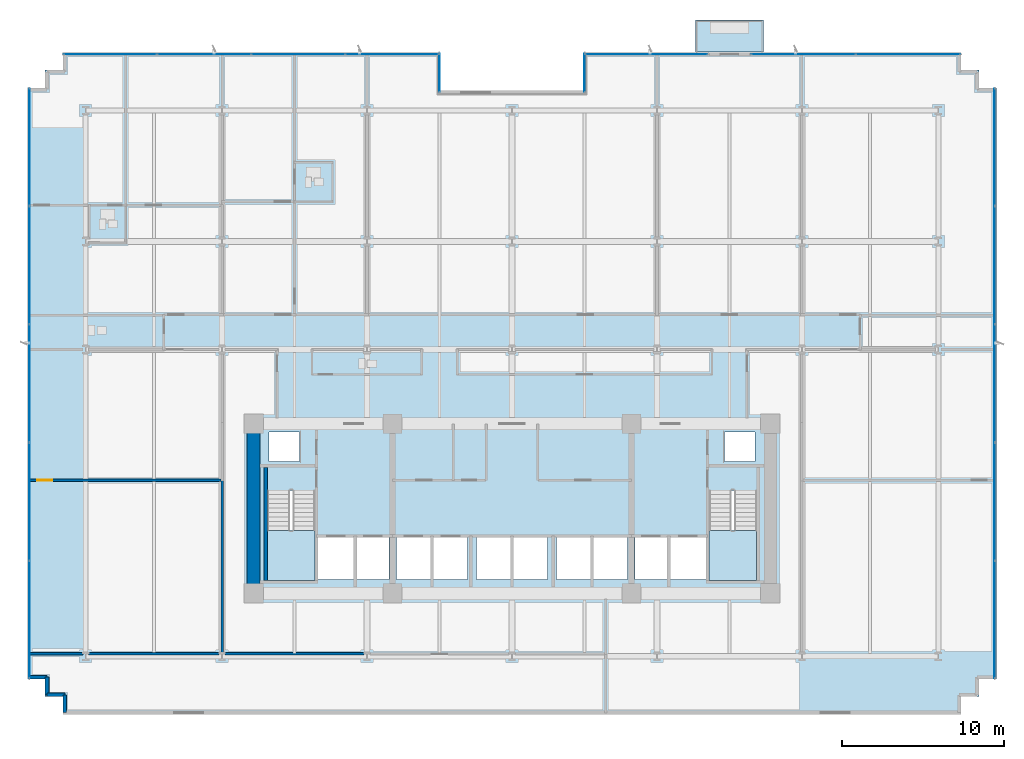
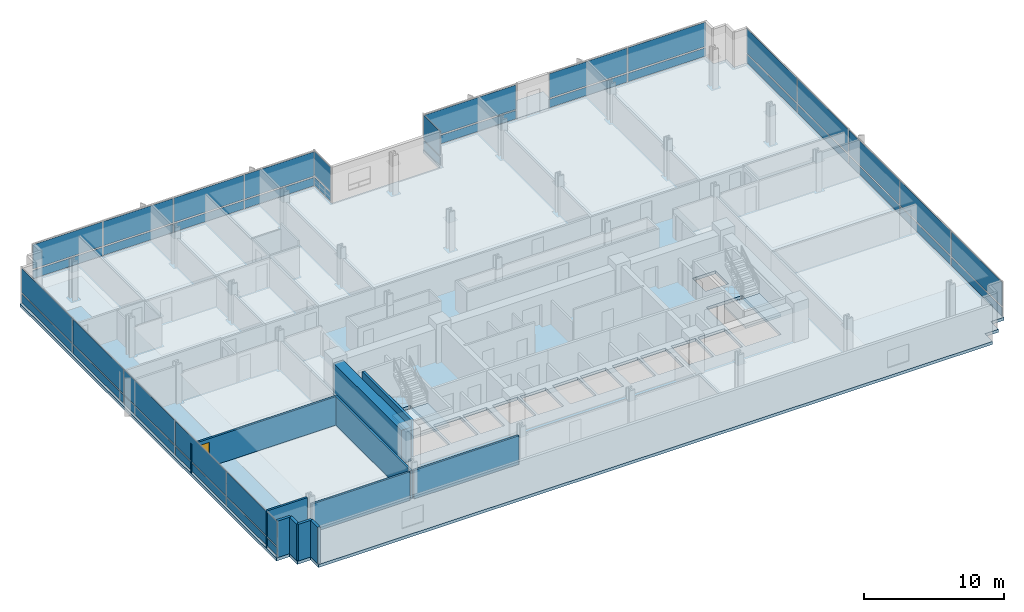
# One storey, part 11 of 20: 38 plates, 11 walls, 4 slabs, 1 door, 1 opening, 9 elements without a shape of their own.
"""IFC4 building model written with IfcOpenShell, lengths in metres."""

from ifc_helpers import new_model, si_unit, direction, frame, frame_2d, origin, origin_2d, place, context, subcontext, project, spatial, polyline, rectangle, outline, extrude, material, layer, layer_set, type_object, element, fill, aggregate, save


model = new_model("IFC4")

# Units and contexts
model_context = context("Model", 3, precision=1e-05, world=origin(), true_north=direction((0.0, 1.0)))
body_context = subcontext(model_context, "Body", "Model", "MODEL_VIEW")
ifc_project = project(units=[si_unit("LENGTHUNIT", "METRE"), si_unit("AREAUNIT", "SQUARE_METRE"), si_unit("VOLUMEUNIT", "CUBIC_METRE"), si_unit("PLANEANGLEUNIT", "RADIAN"), si_unit("MASSUNIT", "GRAM", prefix="KILO")], contexts=[model_context])

# Site, building, storey
site_placement = place(None, origin())
site = spatial("IfcSite", under=ifc_project, at=site_placement, CompositionType="ELEMENT")
building_placement = place(site_placement, origin())
building = spatial("IfcBuilding", under=site, at=building_placement, Name="Solmavex Isthmus Hotel", CompositionType="ELEMENT")
storey_placement = place(building_placement, frame((0.0, 0.0, 57.449951171875)))
storey = spatial("IfcBuildingStorey", under=building, at=storey_placement, Name="L15", CompositionType="ELEMENT", Elevation=57.449951171875)

# Curtain wall, plates
ifc_material_1 = material(Name="Aluminium alloy 6063-T6", Category="aluminium")
curtain_wall_type = type_object("IfcCurtainWallType", Name="CW-SYS-06", PredefinedType="NOTDEFINED", material=ifc_material_1)
curtain_wall_1_placement = place(storey_placement, origin())
curtain_wall_1 = element("IfcCurtainWall", 1, at=curtain_wall_1_placement, inside=storey, type_object=curtain_wall_type, Name="Stick Curtain Wall CWL-L15-SGW", PredefinedType="NOTDEFINED")
ifc_material_2 = material(Name="Clear low-E laminated glass", Category="glass")
ifc_layer_1 = layer(ifc_material_2, 0.028076171875)
ifc_layer_set_1 = layer_set([ifc_layer_1], Name="Clear low-E laminated glass")
plate_type = type_object("IfcPlateType", Name="CW-SYS-06-PNL", PredefinedType="CURTAIN_PANEL", material=ifc_layer_set_1)
plate_1_placement = place(storey_placement, frame((-4.5, 19.239990234375, 0.114990234375), z_axis=(0.0, 0.0, 1.0), x_axis=(0.0, 1.0, 0.0)))
plate_1 = element("IfcPlate", 2, at=plate_1_placement, type_object=plate_type, Name="CW-06 panel 1.1", PredefinedType="CURTAIN_PANEL", context=body_context, shape_type="SweptSolid", body=[
    extrude(rectangle(XDim=2.360107421875, YDim=0.028076171875, at=origin_2d()), origin(), (0.0, 0.0, 1.0), 0.7275390625),
])
plate_2_placement = place(storey_placement, frame((-4.5, 19.239990234375, 0.95751953125), z_axis=(0.0, 0.0, 1.0), x_axis=(0.0, 1.0, 0.0)))
plate_2 = element("IfcPlate", 3, at=plate_2_placement, type_object=plate_type, Name="CW-06 panel 1.2", PredefinedType="CURTAIN_PANEL", context=body_context, shape_type="SweptSolid", body=[
    extrude(rectangle(XDim=2.360107421875, YDim=0.028076171875, at=origin_2d()), origin(), (0.0, 0.0, 1.0), 2.117431640625),
])
aggregate(curtain_wall_1, [plate_1, plate_2])

curtain_wall_2_placement = place(storey_placement, origin())
curtain_wall_2 = element("IfcCurtainWall", 4, at=curtain_wall_2_placement, inside=storey, type_object=curtain_wall_type, Name="Stick Curtain Wall CWL-L15-SGE", PredefinedType="NOTDEFINED")
plate_3_placement = place(storey_placement, frame((4.5, 19.239990234375, 0.114990234375), z_axis=(0.0, 0.0, 1.0), x_axis=(0.0, 1.0, 0.0)))
plate_3 = element("IfcPlate", 5, at=plate_3_placement, type_object=plate_type, Name="CW-06 panel 1.1", PredefinedType="CURTAIN_PANEL", context=body_context, shape_type="SweptSolid", body=[
    extrude(rectangle(XDim=2.360107421875, YDim=0.028076171875, at=origin_2d()), origin(), (0.0, 0.0, 1.0), 0.7275390625),
])
plate_4_placement = place(storey_placement, frame((4.5, 19.239990234375, 0.95751953125), z_axis=(0.0, 0.0, 1.0), x_axis=(0.0, 1.0, 0.0)))
plate_4 = element("IfcPlate", 6, at=plate_4_placement, type_object=plate_type, Name="CW-06 panel 1.2", PredefinedType="CURTAIN_PANEL", context=body_context, shape_type="SweptSolid", body=[
    extrude(rectangle(XDim=2.360107421875, YDim=0.028076171875, at=origin_2d()), origin(), (0.0, 0.0, 1.0), 2.117431640625),
])
aggregate(curtain_wall_2, [plate_3, plate_4])

curtain_wall_3_placement = place(storey_placement, origin())
curtain_wall_3 = element("IfcCurtainWall", 7, at=curtain_wall_3_placement, inside=storey, type_object=curtain_wall_type, Name="Stick Curtain Wall CWL-L15-N1", PredefinedType="NOTDEFINED")
plate_5_placement = place(storey_placement, frame((-24.87255859375, 20.3798828125, 0.114990234375), z_axis=(0.0, 0.0, 1.0), x_axis=(1.0, 0.0, 0.0)))
plate_5 = element("IfcPlate", 8, at=plate_5_placement, type_object=plate_type, Name="CW-06 panel 1.1", PredefinedType="CURTAIN_PANEL", context=body_context, shape_type="SweptSolid", body=[
    extrude(rectangle(XDim=5.735107421875, YDim=0.028076171875, at=origin_2d()), origin(), (0.0, 0.0, 1.0), 0.7275390625),
])
plate_6_placement = place(storey_placement, frame((-24.87255859375, 20.3798828125, 0.95751953125), z_axis=(0.0, 0.0, 1.0), x_axis=(1.0, 0.0, 0.0)))
plate_6 = element("IfcPlate", 9, at=plate_6_placement, type_object=plate_type, Name="CW-06 panel 1.2", PredefinedType="CURTAIN_PANEL", context=body_context, shape_type="SweptSolid", body=[
    extrude(rectangle(XDim=5.735107421875, YDim=0.028076171875, at=origin_2d()), origin(), (0.0, 0.0, 1.0), 2.117431640625),
])
plate_7_placement = place(storey_placement, frame((-19.0625, 20.3798828125, 0.114990234375), z_axis=(0.0, 0.0, 1.0), x_axis=(1.0, 0.0, 0.0)))
plate_7 = element("IfcPlate", 10, at=plate_7_placement, type_object=plate_type, Name="CW-06 panel 2.1", PredefinedType="CURTAIN_PANEL", context=body_context, shape_type="SweptSolid", body=[
    extrude(rectangle(XDim=5.764892578125, YDim=0.028076171875, at=origin_2d()), origin(), (0.0, 0.0, 1.0), 0.7275390625),
])
plate_8_placement = place(storey_placement, frame((-19.0625, 20.3798828125, 0.95751953125), z_axis=(0.0, 0.0, 1.0), x_axis=(1.0, 0.0, 0.0)))
plate_8 = element("IfcPlate", 11, at=plate_8_placement, type_object=plate_type, Name="CW-06 panel 2.2", PredefinedType="CURTAIN_PANEL", context=body_context, shape_type="SweptSolid", body=[
    extrude(rectangle(XDim=5.764892578125, YDim=0.028076171875, at=origin_2d()), origin(), (0.0, 0.0, 1.0), 2.117431640625),
])
plate_9_placement = place(storey_placement, frame((-13.237548828125, 20.3798828125, 0.114990234375), z_axis=(0.0, 0.0, 1.0), x_axis=(1.0, 0.0, 0.0)))
plate_9 = element("IfcPlate", 12, at=plate_9_placement, type_object=plate_type, Name="CW-06 panel 3.1", PredefinedType="CURTAIN_PANEL", context=body_context, shape_type="SweptSolid", body=[
    extrude(rectangle(XDim=5.764892578125, YDim=0.028076171875, at=origin_2d()), origin(), (0.0, 0.0, 1.0), 0.7275390625),
])
plate_10_placement = place(storey_placement, frame((-13.237548828125, 20.3798828125, 0.95751953125), z_axis=(0.0, 0.0, 1.0), x_axis=(1.0, 0.0, 0.0)))
plate_10 = element("IfcPlate", 13, at=plate_10_placement, type_object=plate_type, Name="CW-06 panel 3.2", PredefinedType="CURTAIN_PANEL", context=body_context, shape_type="SweptSolid", body=[
    extrude(rectangle(XDim=5.764892578125, YDim=0.028076171875, at=origin_2d()), origin(), (0.0, 0.0, 1.0), 2.117431640625),
])
plate_11_placement = place(storey_placement, frame((-7.427490234375, 20.3798828125, 0.114990234375), z_axis=(0.0, 0.0, 1.0), x_axis=(1.0, 0.0, 0.0)))
plate_11 = element("IfcPlate", 14, at=plate_11_placement, type_object=plate_type, Name="CW-06 panel 4.1", PredefinedType="CURTAIN_PANEL", context=body_context, shape_type="SweptSolid", body=[
    extrude(rectangle(XDim=5.735107421875, YDim=0.028076171875, at=origin_2d()), origin(), (0.0, 0.0, 1.0), 0.7275390625),
])
plate_12_placement = place(storey_placement, frame((-7.427490234375, 20.3798828125, 0.95751953125), z_axis=(0.0, 0.0, 1.0), x_axis=(1.0, 0.0, 0.0)))
plate_12 = element("IfcPlate", 15, at=plate_12_placement, type_object=plate_type, Name="CW-06 panel 4.2", PredefinedType="CURTAIN_PANEL", context=body_context, shape_type="SweptSolid", body=[
    extrude(rectangle(XDim=5.735107421875, YDim=0.028076171875, at=origin_2d()), origin(), (0.0, 0.0, 1.0), 2.117431640625),
])
aggregate(curtain_wall_3, [plate_5, plate_6, plate_7, plate_8, plate_9, plate_10, plate_11, plate_12])

curtain_wall_4_placement = place(storey_placement, origin())
curtain_wall_4 = element("IfcCurtainWall", 16, at=curtain_wall_4_placement, inside=storey, type_object=curtain_wall_type, Name="Stick Curtain Wall CWL-L15-N2", PredefinedType="NOTDEFINED")
plate_13_placement = place(storey_placement, frame((8.33203125, 20.3798828125, 0.114990234375), z_axis=(0.0, 0.0, 1.0), x_axis=(1.0, 0.0, 0.0)))
plate_13 = element("IfcPlate", 17, at=plate_13_placement, type_object=plate_type, Name="CW-06 panel 1.1", PredefinedType="CURTAIN_PANEL", context=body_context, shape_type="SweptSolid", body=[
    extrude(rectangle(XDim=7.5439453125, YDim=0.028076171875, at=origin_2d()), origin(), (0.0, 0.0, 1.0), 0.7275390625),
])
plate_14_placement = place(storey_placement, frame((8.33203125, 20.3798828125, 0.95751953125), z_axis=(0.0, 0.0, 1.0), x_axis=(1.0, 0.0, 0.0)))
plate_14 = element("IfcPlate", 18, at=plate_14_placement, type_object=plate_type, Name="CW-06 panel 1.2", PredefinedType="CURTAIN_PANEL", context=body_context, shape_type="SweptSolid", body=[
    extrude(rectangle(XDim=7.5439453125, YDim=0.028076171875, at=origin_2d()), origin(), (0.0, 0.0, 1.0), 2.117431640625),
])
aggregate(curtain_wall_4, [plate_13, plate_14])

curtain_wall_5_placement = place(storey_placement, origin())
curtain_wall_5 = element("IfcCurtainWall", 19, at=curtain_wall_5_placement, inside=storey, type_object=curtain_wall_type, Name="Stick Curtain Wall CWL-L15-N3", PredefinedType="NOTDEFINED")
plate_15_placement = place(storey_placement, frame((18.0380859375, 20.3798828125, 0.114990234375), z_axis=(0.0, 0.0, 1.0), x_axis=(1.0, 0.0, 0.0)))
plate_15 = element("IfcPlate", 20, at=plate_15_placement, type_object=plate_type, Name="CW-06 panel 1.1", PredefinedType="CURTAIN_PANEL", context=body_context, shape_type="SweptSolid", body=[
    extrude(rectangle(XDim=6.427978515625, YDim=0.028076171875, at=origin_2d()), origin(), (0.0, 0.0, 1.0), 0.7275390625),
])
plate_16_placement = place(storey_placement, frame((18.0380859375, 20.3798828125, 0.95751953125), z_axis=(0.0, 0.0, 1.0), x_axis=(1.0, 0.0, 0.0)))
plate_16 = element("IfcPlate", 21, at=plate_16_placement, type_object=plate_type, Name="CW-06 panel 1.2", PredefinedType="CURTAIN_PANEL", context=body_context, shape_type="SweptSolid", body=[
    extrude(rectangle(XDim=6.427978515625, YDim=0.028076171875, at=origin_2d()), origin(), (0.0, 0.0, 1.0), 2.117431640625),
])
plate_17_placement = place(storey_placement, frame((24.52587890625, 20.3798828125, 0.114990234375), z_axis=(0.0, 0.0, 1.0), x_axis=(1.0, 0.0, 0.0)))
plate_17 = element("IfcPlate", 22, at=plate_17_placement, type_object=plate_type, Name="CW-06 panel 2.1", PredefinedType="CURTAIN_PANEL", context=body_context, shape_type="SweptSolid", body=[
    extrude(rectangle(XDim=6.427978515625, YDim=0.028076171875, at=origin_2d()), origin(), (0.0, 0.0, 1.0), 0.7275390625),
])
plate_18_placement = place(storey_placement, frame((24.52587890625, 20.3798828125, 0.95751953125), z_axis=(0.0, 0.0, 1.0), x_axis=(1.0, 0.0, 0.0)))
plate_18 = element("IfcPlate", 23, at=plate_18_placement, type_object=plate_type, Name="CW-06 panel 2.2", PredefinedType="CURTAIN_PANEL", context=body_context, shape_type="SweptSolid", body=[
    extrude(rectangle(XDim=6.427978515625, YDim=0.028076171875, at=origin_2d()), origin(), (0.0, 0.0, 1.0), 2.117431640625),
])
aggregate(curtain_wall_5, [plate_15, plate_16, plate_17, plate_18])

curtain_wall_6_placement = place(storey_placement, origin())
curtain_wall_6 = element("IfcCurtainWall", 24, at=curtain_wall_6_placement, inside=storey, type_object=curtain_wall_type, Name="Stick Curtain Wall CWL-L15-W1", PredefinedType="NOTDEFINED")
plate_19_placement = place(storey_placement, frame((-29.8798828125, -14.625, 0.114990234375), z_axis=(0.0, 0.0, 1.0), x_axis=(0.0, 1.0, 0.0)))
plate_19 = element("IfcPlate", 25, at=plate_19_placement, type_object=plate_type, Name="CW-06 panel 1.1", PredefinedType="CURTAIN_PANEL", context=body_context, shape_type="SweptSolid", body=[
    extrude(rectangle(XDim=7.22998046875, YDim=0.028076171875, at=origin_2d()), origin(), (0.0, 0.0, 1.0), 0.7275390625),
])
plate_20_placement = place(storey_placement, frame((-29.8798828125, -14.625, 0.95751953125), z_axis=(0.0, 0.0, 1.0), x_axis=(0.0, 1.0, 0.0)))
plate_20 = element("IfcPlate", 26, at=plate_20_placement, type_object=plate_type, Name="CW-06 panel 1.2", PredefinedType="CURTAIN_PANEL", context=body_context, shape_type="SweptSolid", body=[
    extrude(rectangle(XDim=7.22998046875, YDim=0.028076171875, at=origin_2d()), origin(), (0.0, 0.0, 1.0), 2.117431640625),
])
plate_21_placement = place(storey_placement, frame((-29.8798828125, -7.320068359375, 0.114990234375), z_axis=(0.0, 0.0, 1.0), x_axis=(0.0, 1.0, 0.0)))
plate_21 = element("IfcPlate", 27, at=plate_21_placement, type_object=plate_type, Name="CW-06 panel 2.1", PredefinedType="CURTAIN_PANEL", context=body_context, shape_type="SweptSolid", body=[
    extrude(rectangle(XDim=7.260009765625, YDim=0.028076171875, at=origin_2d()), origin(), (0.0, 0.0, 1.0), 0.7275390625),
])
plate_22_placement = place(storey_placement, frame((-29.8798828125, -7.320068359375, 0.95751953125), z_axis=(0.0, 0.0, 1.0), x_axis=(0.0, 1.0, 0.0)))
plate_22 = element("IfcPlate", 28, at=plate_22_placement, type_object=plate_type, Name="CW-06 panel 2.2", PredefinedType="CURTAIN_PANEL", context=body_context, shape_type="SweptSolid", body=[
    extrude(rectangle(XDim=7.260009765625, YDim=0.028076171875, at=origin_2d()), origin(), (0.0, 0.0, 1.0), 2.117431640625),
])
plate_23_placement = place(storey_placement, frame((-29.8798828125, 0.0, 0.114990234375), z_axis=(0.0, 0.0, 1.0), x_axis=(0.0, 1.0, 0.0)))
plate_23 = element("IfcPlate", 29, at=plate_23_placement, type_object=plate_type, Name="CW-06 panel 3.1", PredefinedType="CURTAIN_PANEL", context=body_context, shape_type="SweptSolid", body=[
    extrude(rectangle(XDim=7.260009765625, YDim=0.028076171875, at=origin_2d()), origin(), (0.0, 0.0, 1.0), 0.7275390625),
])
plate_24_placement = place(storey_placement, frame((-29.8798828125, 0.0, 0.95751953125), z_axis=(0.0, 0.0, 1.0), x_axis=(0.0, 1.0, 0.0)))
plate_24 = element("IfcPlate", 30, at=plate_24_placement, type_object=plate_type, Name="CW-06 panel 3.2", PredefinedType="CURTAIN_PANEL", context=body_context, shape_type="SweptSolid", body=[
    extrude(rectangle(XDim=7.260009765625, YDim=0.028076171875, at=origin_2d()), origin(), (0.0, 0.0, 1.0), 2.117431640625),
])
plate_25_placement = place(storey_placement, frame((-29.8798828125, 7.320068359375, 0.114990234375), z_axis=(0.0, 0.0, 1.0), x_axis=(0.0, 1.0, 0.0)))
plate_25 = element("IfcPlate", 31, at=plate_25_placement, type_object=plate_type, Name="CW-06 panel 4.1", PredefinedType="CURTAIN_PANEL", context=body_context, shape_type="SweptSolid", body=[
    extrude(rectangle(XDim=7.260009765625, YDim=0.028076171875, at=origin_2d()), origin(), (0.0, 0.0, 1.0), 0.7275390625),
])
plate_26_placement = place(storey_placement, frame((-29.8798828125, 7.320068359375, 0.95751953125), z_axis=(0.0, 0.0, 1.0), x_axis=(0.0, 1.0, 0.0)))
plate_26 = element("IfcPlate", 32, at=plate_26_placement, type_object=plate_type, Name="CW-06 panel 4.2", PredefinedType="CURTAIN_PANEL", context=body_context, shape_type="SweptSolid", body=[
    extrude(rectangle(XDim=7.260009765625, YDim=0.028076171875, at=origin_2d()), origin(), (0.0, 0.0, 1.0), 2.117431640625),
])
plate_27_placement = place(storey_placement, frame((-29.8798828125, 14.625, 0.114990234375), z_axis=(0.0, 0.0, 1.0), x_axis=(0.0, 1.0, 0.0)))
plate_27 = element("IfcPlate", 33, at=plate_27_placement, type_object=plate_type, Name="CW-06 panel 5.1", PredefinedType="CURTAIN_PANEL", context=body_context, shape_type="SweptSolid", body=[
    extrude(rectangle(XDim=7.22998046875, YDim=0.028076171875, at=origin_2d()), origin(), (0.0, 0.0, 1.0), 0.7275390625),
])
plate_28_placement = place(storey_placement, frame((-29.8798828125, 14.625, 0.95751953125), z_axis=(0.0, 0.0, 1.0), x_axis=(0.0, 1.0, 0.0)))
plate_28 = element("IfcPlate", 34, at=plate_28_placement, type_object=plate_type, Name="CW-06 panel 5.2", PredefinedType="CURTAIN_PANEL", context=body_context, shape_type="SweptSolid", body=[
    extrude(rectangle(XDim=7.22998046875, YDim=0.028076171875, at=origin_2d()), origin(), (0.0, 0.0, 1.0), 2.117431640625),
])
aggregate(curtain_wall_6, [plate_19, plate_20, plate_21, plate_22, plate_23, plate_24, plate_25, plate_26, plate_27, plate_28])

curtain_wall_7_placement = place(storey_placement, origin())
curtain_wall_7 = element("IfcCurtainWall", 35, at=curtain_wall_7_placement, inside=storey, type_object=curtain_wall_type, Name="Stick Curtain Wall CWL-L15-E1", PredefinedType="NOTDEFINED")
plate_29_placement = place(storey_placement, frame((29.8798828125, -14.625, 0.114990234375), z_axis=(0.0, 0.0, 1.0), x_axis=(0.0, 1.0, 0.0)))
plate_29 = element("IfcPlate", 36, at=plate_29_placement, type_object=plate_type, Name="CW-06 panel 1.1", PredefinedType="CURTAIN_PANEL", context=body_context, shape_type="SweptSolid", body=[
    extrude(rectangle(XDim=7.22998046875, YDim=0.028076171875, at=origin_2d()), origin(), (0.0, 0.0, 1.0), 0.7275390625),
])
plate_30_placement = place(storey_placement, frame((29.8798828125, -14.625, 0.95751953125), z_axis=(0.0, 0.0, 1.0), x_axis=(0.0, 1.0, 0.0)))
plate_30 = element("IfcPlate", 37, at=plate_30_placement, type_object=plate_type, Name="CW-06 panel 1.2", PredefinedType="CURTAIN_PANEL", context=body_context, shape_type="SweptSolid", body=[
    extrude(rectangle(XDim=7.22998046875, YDim=0.028076171875, at=origin_2d()), origin(), (0.0, 0.0, 1.0), 2.117431640625),
])
plate_31_placement = place(storey_placement, frame((29.8798828125, -7.320068359375, 0.114990234375), z_axis=(0.0, 0.0, 1.0), x_axis=(0.0, 1.0, 0.0)))
plate_31 = element("IfcPlate", 38, at=plate_31_placement, type_object=plate_type, Name="CW-06 panel 2.1", PredefinedType="CURTAIN_PANEL", context=body_context, shape_type="SweptSolid", body=[
    extrude(rectangle(XDim=7.260009765625, YDim=0.028076171875, at=origin_2d()), origin(), (0.0, 0.0, 1.0), 0.7275390625),
])
plate_32_placement = place(storey_placement, frame((29.8798828125, -7.320068359375, 0.95751953125), z_axis=(0.0, 0.0, 1.0), x_axis=(0.0, 1.0, 0.0)))
plate_32 = element("IfcPlate", 39, at=plate_32_placement, type_object=plate_type, Name="CW-06 panel 2.2", PredefinedType="CURTAIN_PANEL", context=body_context, shape_type="SweptSolid", body=[
    extrude(rectangle(XDim=7.260009765625, YDim=0.028076171875, at=origin_2d()), origin(), (0.0, 0.0, 1.0), 2.117431640625),
])
plate_33_placement = place(storey_placement, frame((29.8798828125, 0.0, 0.114990234375), z_axis=(0.0, 0.0, 1.0), x_axis=(0.0, 1.0, 0.0)))
plate_33 = element("IfcPlate", 40, at=plate_33_placement, type_object=plate_type, Name="CW-06 panel 3.1", PredefinedType="CURTAIN_PANEL", context=body_context, shape_type="SweptSolid", body=[
    extrude(rectangle(XDim=7.260009765625, YDim=0.028076171875, at=origin_2d()), origin(), (0.0, 0.0, 1.0), 0.7275390625),
])
plate_34_placement = place(storey_placement, frame((29.8798828125, 0.0, 0.95751953125), z_axis=(0.0, 0.0, 1.0), x_axis=(0.0, 1.0, 0.0)))
plate_34 = element("IfcPlate", 41, at=plate_34_placement, type_object=plate_type, Name="CW-06 panel 3.2", PredefinedType="CURTAIN_PANEL", context=body_context, shape_type="SweptSolid", body=[
    extrude(rectangle(XDim=7.260009765625, YDim=0.028076171875, at=origin_2d()), origin(), (0.0, 0.0, 1.0), 2.117431640625),
])
plate_35_placement = place(storey_placement, frame((29.8798828125, 7.320068359375, 0.114990234375), z_axis=(0.0, 0.0, 1.0), x_axis=(0.0, 1.0, 0.0)))
plate_35 = element("IfcPlate", 42, at=plate_35_placement, type_object=plate_type, Name="CW-06 panel 4.1", PredefinedType="CURTAIN_PANEL", context=body_context, shape_type="SweptSolid", body=[
    extrude(rectangle(XDim=7.260009765625, YDim=0.028076171875, at=origin_2d()), origin(), (0.0, 0.0, 1.0), 0.7275390625),
])
plate_36_placement = place(storey_placement, frame((29.8798828125, 7.320068359375, 0.95751953125), z_axis=(0.0, 0.0, 1.0), x_axis=(0.0, 1.0, 0.0)))
plate_36 = element("IfcPlate", 43, at=plate_36_placement, type_object=plate_type, Name="CW-06 panel 4.2", PredefinedType="CURTAIN_PANEL", context=body_context, shape_type="SweptSolid", body=[
    extrude(rectangle(XDim=7.260009765625, YDim=0.028076171875, at=origin_2d()), origin(), (0.0, 0.0, 1.0), 2.117431640625),
])
plate_37_placement = place(storey_placement, frame((29.8798828125, 14.625, 0.114990234375), z_axis=(0.0, 0.0, 1.0), x_axis=(0.0, 1.0, 0.0)))
plate_37 = element("IfcPlate", 44, at=plate_37_placement, type_object=plate_type, Name="CW-06 panel 5.1", PredefinedType="CURTAIN_PANEL", context=body_context, shape_type="SweptSolid", body=[
    extrude(rectangle(XDim=7.22998046875, YDim=0.028076171875, at=origin_2d()), origin(), (0.0, 0.0, 1.0), 0.7275390625),
])
plate_38_placement = place(storey_placement, frame((29.8798828125, 14.625, 0.95751953125), z_axis=(0.0, 0.0, 1.0), x_axis=(0.0, 1.0, 0.0)))
plate_38 = element("IfcPlate", 45, at=plate_38_placement, type_object=plate_type, Name="CW-06 panel 5.2", PredefinedType="CURTAIN_PANEL", context=body_context, shape_type="SweptSolid", body=[
    extrude(rectangle(XDim=7.22998046875, YDim=0.028076171875, at=origin_2d()), origin(), (0.0, 0.0, 1.0), 2.117431640625),
])
aggregate(curtain_wall_7, [plate_29, plate_30, plate_31, plate_32, plate_33, plate_34, plate_35, plate_36, plate_37, plate_38])

# Slabs
ifc_material_3 = material(Name="Concrete C40/50", Category="concrete")
ifc_layer_2 = layer(ifc_material_3, 0.239990234375)
ifc_layer_set_2 = layer_set([ifc_layer_2], Name="Concrete C40/50")
slab_type_1 = type_object("IfcSlabType", Name="SLAB-BALC-240", PredefinedType="FLOOR", material=ifc_layer_set_2)
slab_1_placement = place(storey_placement, frame((0.0, 0.0, -0.239990234375)))
element("IfcSlab", 46, at=slab_1_placement, inside=storey, type_object=slab_type_1, Name="Tree-Planter Balcony Slab L15-B2", PredefinedType="FLOOR", context=body_context, shape_type="SweptSolid", body=[
    extrude(outline(polyline([(11.364013671875, 20.514892578125), (15.56396484375, 20.514892578125), (15.56396484375, 22.5), (11.364013671875, 22.5), (11.364013671875, 20.514892578125)])), origin(), (0.0, 0.0, 1.0), 0.239990234375),
])
ifc_layer_3 = layer(ifc_material_3, 0.260009765625)
ifc_layer_set_3 = layer_set([ifc_layer_3], Name="Concrete C40/50")
slab_type_2 = type_object("IfcSlabType", Name="SLAB-TYP-260", PredefinedType="FLOOR", material=ifc_layer_set_3)
slab_2_placement = place(storey_placement, frame((0.0, 0.0, -0.260009765625)))
element("IfcSlab", 47, at=slab_2_placement, inside=storey, type_object=slab_type_2, Name="Tower Structural Floor Slab L15", PredefinedType="FLOOR", context=body_context, shape_type="SweptSolid", body=[
    extrude(outline(polyline([(4.5, 20.5), (4.5, 18.0), (-4.5, 18.0), (-4.5, 20.5), (-26.699951171875, 20.5), (-27.800048828125, 20.5), (-27.800048828125, 19.39990234375), (-28.89990234375, 19.39990234375), (-28.89990234375, 18.300048828125), (-30.0, 18.300048828125), (-30.0, 17.199951171875), (-30.0, -17.199951171875), (-30.0, -18.300048828125), (-28.89990234375, -18.300048828125), (-28.89990234375, -19.39990234375), (-27.800048828125, -19.39990234375), (-27.800048828125, -20.5), (-26.699951171875, -20.5), (26.699951171875, -20.5), (27.800048828125, -20.5), (27.800048828125, -19.39990234375), (28.89990234375, -19.39990234375), (28.89990234375, -18.300048828125), (30.0, -18.300048828125), (30.0, -17.199951171875), (30.0, 17.199951171875), (30.0, 18.300048828125), (28.89990234375, 18.300048828125), (28.89990234375, 19.39990234375), (27.800048828125, 19.39990234375), (27.800048828125, 20.5), (26.699951171875, 20.5), (4.5, 20.5)]), holes=[polyline([(-15.14990234375, -6.617919921875), (-15.14990234375, -12.199951171875), (-12.199951171875, -12.199951171875), (-12.199951171875, -6.617919921875), (-15.14990234375, -6.617919921875)]), polyline([(12.199951171875, -6.617919921875), (12.199951171875, -12.199951171875), (15.14990234375, -12.199951171875), (15.14990234375, -6.617919921875), (12.199951171875, -6.617919921875)]), polyline([(-12.0, -12.14990234375), (-9.800048828125, -12.14990234375), (-9.800048828125, -9.550048828125), (-12.0, -9.550048828125), (-12.0, -12.14990234375)]), polyline([(9.800048828125, -12.14990234375), (12.0, -12.14990234375), (12.0, -9.550048828125), (9.800048828125, -9.550048828125), (9.800048828125, -12.14990234375)]), polyline([(-9.60009765625, -12.14990234375), (-7.60009765625, -12.14990234375), (-7.60009765625, -9.550048828125), (-9.60009765625, -9.550048828125), (-9.60009765625, -12.14990234375)]), polyline([(7.60009765625, -12.14990234375), (9.60009765625, -12.14990234375), (9.60009765625, -9.550048828125), (7.60009765625, -9.550048828125), (7.60009765625, -12.14990234375)]), polyline([(-7.14990234375, -12.14990234375), (-5.050048828125, -12.14990234375), (-5.050048828125, -9.550048828125), (-7.14990234375, -9.550048828125), (-7.14990234375, -12.14990234375)]), polyline([(-4.85009765625, -12.14990234375), (-2.75, -12.14990234375), (-2.75, -9.550048828125), (-4.85009765625, -9.550048828125), (-4.85009765625, -12.14990234375)]), polyline([(-2.199951171875, -12.14990234375), (-0.10009765625, -12.14990234375), (-0.10009765625, -9.550048828125), (-2.199951171875, -9.550048828125), (-2.199951171875, -12.14990234375)]), polyline([(0.10009765625, -12.14990234375), (2.199951171875, -12.14990234375), (2.199951171875, -9.550048828125), (0.10009765625, -9.550048828125), (0.10009765625, -12.14990234375)]), polyline([(2.75, -12.14990234375), (4.85009765625, -12.14990234375), (4.85009765625, -9.550048828125), (2.75, -9.550048828125), (2.75, -12.14990234375)]), polyline([(5.050048828125, -12.14990234375), (7.14990234375, -12.14990234375), (7.14990234375, -9.550048828125), (5.050048828125, -9.550048828125), (5.050048828125, -12.14990234375)]), polyline([(-15.050048828125, -4.85009765625), (-13.14990234375, -4.85009765625), (-13.14990234375, -3.0), (-15.050048828125, -3.0), (-15.050048828125, -4.85009765625)]), polyline([(13.14990234375, -4.85009765625), (15.050048828125, -4.85009765625), (15.050048828125, -3.0), (13.14990234375, -3.0), (13.14990234375, -4.85009765625)])]), origin(), (0.0, 0.0, 1.0), 0.260009765625),
])

# Stair, slab
stair_type_1 = type_object("IfcStairType", Name="STR-ST-1", PredefinedType="HALF_TURN_STAIR", material=ifc_material_3)
stair_1_placement = place(storey_placement, origin())
stair_1 = element("IfcStair", 48, at=stair_1_placement, inside=storey, type_object=stair_type_1, Name="L15 Protected Exit Stair ST-1", PredefinedType="HALF_TURN_STAIR")
ifc_layer_4 = layer(ifc_material_3, 0.219970703125)
ifc_layer_set_4 = layer_set([ifc_layer_4], Name="Concrete C40/50")
slab_type_3 = type_object("IfcSlabType", Name="SLD-ST-1", PredefinedType="LANDING", material=ifc_layer_set_4)
slab_3_placement = place(storey_placement, frame((0.0, 0.0, 1.525146484375)))
slab_3 = element("IfcSlab", 49, at=slab_3_placement, type_object=slab_type_3, Name="ST-1 landing 1", PredefinedType="LANDING", context=body_context, shape_type="SweptSolid", body=[
    extrude(outline(polyline([(-15.14990234375, -9.1201171875), (-15.14990234375, -12.199951171875), (-12.199951171875, -12.199951171875), (-12.199951171875, -9.1201171875), (-15.14990234375, -9.1201171875)])), origin(), (0.0, 0.0, 1.0), 0.199951171875),
])
aggregate(stair_1, [slab_3])

stair_type_2 = type_object("IfcStairType", Name="STR-ST-2", PredefinedType="HALF_TURN_STAIR", material=ifc_material_3)
stair_2_placement = place(storey_placement, origin())
stair_2 = element("IfcStair", 50, at=stair_2_placement, inside=storey, type_object=stair_type_2, Name="L15 Protected Exit Stair ST-2", PredefinedType="HALF_TURN_STAIR")
ifc_layer_5 = layer(ifc_material_3, 0.219970703125)
ifc_layer_set_5 = layer_set([ifc_layer_5], Name="Concrete C40/50")
slab_type_4 = type_object("IfcSlabType", Name="SLD-ST-2", PredefinedType="LANDING", material=ifc_layer_set_5)
slab_4_placement = place(storey_placement, frame((0.0, 0.0, 1.525146484375)))
slab_4 = element("IfcSlab", 51, at=slab_4_placement, type_object=slab_type_4, Name="ST-2 landing 1", PredefinedType="LANDING", context=body_context, shape_type="SweptSolid", body=[
    extrude(outline(polyline([(12.199951171875, -9.1201171875), (12.199951171875, -12.199951171875), (15.14990234375, -12.199951171875), (15.14990234375, -9.1201171875), (12.199951171875, -9.1201171875)])), origin(), (0.0, 0.0, 1.0), 0.199951171875),
])
aggregate(stair_2, [slab_4])

# Walls
ifc_material_4 = material(Name="Precast Concrete C40/50", Category="concrete")
ifc_layer_6 = layer(ifc_material_4, 0.25)
ifc_layer_set_6 = layer_set([ifc_layer_6], Name="Precast Concrete C40/50")
wall_type_1 = type_object("IfcWallType", Name="EW-TWR-250", PredefinedType="STANDARD", material=ifc_layer_set_6)
wall_1_placement = place(storey_placement, frame((-27.68994140625, -20.389892578125, 0.0), z_axis=(0.0, 0.0, 1.0), x_axis=(0.0, 1.0, 0.0)))
element("IfcWall", 52, at=wall_1_placement, inside=storey, type_object=wall_type_1, Name="Serrated Corner Facade Panel L15-01", PredefinedType="STANDARD", context=body_context, shape_type="SweptSolid", body=[
    extrude(rectangle(XDim=1.099853515625, YDim=0.219970703125, at=frame_2d((0.5498046875, 0.0))), origin(), (0.0, 0.0, 1.0), 3.18994140625),
])
for number, where, z_axis, x_axis, name in (
    (53, (-27.68994140625, -19.2900390625, 0.0), (0.0, 0.0, 1.0), (-1.0, 0.0, 0.0), "Serrated Corner Facade Panel L15-02"),
    (54, (-28.7900390625, -19.2900390625, 0.0), (0.0, 0.0, 1.0), (0.0, 1.0, 0.0), "Serrated Corner Facade Panel L15-03"),
):
    element("IfcWall", number, at=place(storey_placement, frame(where, z_axis=z_axis, x_axis=x_axis)), inside=storey, type_object=wall_type_1, Name=name, PredefinedType="STANDARD", context=body_context, shape_type="SweptSolid", body=[
        extrude(rectangle(XDim=1.10009765625, YDim=0.219970703125, at=frame_2d((0.550048828125, 0.0))), origin(), (0.0, 0.0, 1.0), 3.18994140625),
    ])
wall_2_placement = place(storey_placement, frame((-28.7900390625, -18.18994140625, 0.0), z_axis=(0.0, 0.0, 1.0), x_axis=(-1.0, 0.0, 0.0)))
element("IfcWall", 55, at=wall_2_placement, inside=storey, type_object=wall_type_1, Name="Serrated Corner Facade Panel L15-04", PredefinedType="STANDARD", context=body_context, shape_type="SweptSolid", body=[
    extrude(rectangle(XDim=1.099853515625, YDim=0.219970703125, at=frame_2d((0.5498046875, 0.0))), origin(), (0.0, 0.0, 1.0), 3.18994140625),
])

# Wall, opening, door
ifc_material_5 = material(Name="Gypsum plasterboard lining", Category="gypsum")
ifc_layer_7 = layer(ifc_material_5, 0.159912109375)
ifc_layer_set_7 = layer_set([ifc_layer_7], Name="Gypsum plasterboard lining")
wall_type_2 = type_object("IfcWallType", Name="IW-COMP-160", PredefinedType="PARTITIONING", material=ifc_layer_set_7)
wall_3_placement = place(storey_placement, frame((-17.912109375, -6.0, 0.0), z_axis=(0.0, 0.0, 1.0), x_axis=(-1.0, 0.0, 0.0)))
wall_3 = element("IfcWall", 56, at=wall_3_placement, inside=storey, type_object=wall_type_2, Name="Interior Partition Wall W-L15-P064", PredefinedType="PARTITIONING", context=body_context, shape_type="SweptSolid", body=[
    extrude(rectangle(XDim=12.0078125, YDim=0.159912109375, at=frame_2d((6.00390625, 0.0))), origin(), (0.0, 0.0, 1.0), 2.4794921875),
])
opening_placement = place(wall_3_placement, frame((10.538818359375, 0.0, 0.0)))
opening = element("IfcOpeningElement", 57, at=opening_placement, cuts=wall_3, Name="Opening ID-C095", PredefinedType="OPENING", context=body_context, shape_type="SweptSolid", body=[
    extrude(rectangle(XDim=0.949951171875, YDim=2.14990234375, at=frame_2d((0.47509765625, 1.074951171875))), frame((0.0, 0.08984375, 0.0), z_axis=(0.0, -1.0, 0.0), x_axis=(1.0, 0.0, 0.0)), (0.0, 0.0, 1.0), 0.179931640625),
])
ifc_material_6 = material(Name="Hardwood timber", Category="wood")
door_type = type_object("IfcDoorType", Name="IDR-FD60-0950", OperationType="NOTDEFINED", PredefinedType="DOOR", material=ifc_material_6)
door_placement = place(opening_placement, origin())
door = element("IfcDoor", 58, at=door_placement, inside=storey, type_object=door_type, Name="Corporate Briefing Office Door L15-21", OperationType="SINGLE_SWING_LEFT", OverallHeight=2.14990234375, OverallWidth=0.949951171875, PredefinedType="DOOR", context=body_context, shape_type="SweptSolid", body=[
    extrude(rectangle(XDim=0.949951171875, YDim=2.14990234375, at=frame_2d((0.47509765625, 1.074951171875))), frame((0.0, 0.02490234375, 0.0), z_axis=(0.0, -1.0, 0.0), x_axis=(1.0, 0.0, 0.0)), (0.0, 0.0, 1.0), 0.050048828125),
])
fill(opening, door)

# Walls
wall_4_placement = place(storey_placement, frame((-9.15087890625, -16.75, 0.0), z_axis=(0.0, 0.0, 1.0), x_axis=(-1.0, 0.0, 0.0)))
element("IfcWall", 59, at=wall_4_placement, inside=storey, type_object=wall_type_2, Name="Interior Partition Wall W-L15-P069", PredefinedType="PARTITIONING", context=body_context, shape_type="SweptSolid", body=[
    extrude(rectangle(XDim=8.626220703125, YDim=0.159912109375, at=frame_2d((4.31298828125, 0.0))), origin(), (0.0, 0.0, 1.0), 2.4794921875),
])
wall_5_placement = place(storey_placement, frame((-17.951904296875, -16.72509765625, 0.0), z_axis=(0.0, 0.0, 1.0), x_axis=(0.0, 1.0, 0.0)))
element("IfcWall", 60, at=wall_5_placement, inside=storey, type_object=wall_type_2, Name="Interior Partition Wall W-L15-P072", PredefinedType="PARTITIONING", context=body_context, shape_type="SweptSolid", body=[
    extrude(rectangle(XDim=10.80712890625, YDim=0.159912109375, at=frame_2d((5.403564453125, 0.0))), origin(), (0.0, 0.0, 1.0), 2.4794921875),
])
wall_6_placement = place(storey_placement, frame((-29.919921875, -16.75, 0.0), z_axis=(0.0, 0.0, 1.0), x_axis=(1.0, 0.0, 0.0)))
element("IfcWall", 61, at=wall_6_placement, inside=storey, type_object=wall_type_2, Name="Interior Partition Wall W-L15-P075", PredefinedType="PARTITIONING", context=body_context, shape_type="SweptSolid", body=[
    extrude(rectangle(XDim=3.344970703125, YDim=0.159912109375, at=frame_2d((1.67236328125, 0.0))), origin(), (0.0, 0.0, 1.0), 3.18994140625),
])
wall_7_placement = place(storey_placement, frame((-26.22509765625, -16.75, 0.0), z_axis=(0.0, 0.0, 1.0), x_axis=(1.0, 0.0, 0.0)))
element("IfcWall", 62, at=wall_7_placement, inside=storey, type_object=wall_type_2, Name="Interior Partition Wall W-L15-P076", PredefinedType="PARTITIONING", context=body_context, shape_type="SweptSolid", body=[
    extrude(rectangle(XDim=8.09814453125, YDim=0.159912109375, at=frame_2d((4.049072265625, 0.0))), origin(), (0.0, 0.0, 1.0), 2.4794921875),
])
ifc_material_7 = material(Name="Concrete C70/85", Category="concrete")
ifc_layer_8 = layer(ifc_material_7, 0.800048828125)
ifc_layer_set_8 = layer_set([ifc_layer_8], Name="Concrete C70/85")
wall_type_3 = type_object("IfcWallType", Name="WALL-CW-800", PredefinedType="SHEAR", material=ifc_layer_set_8)
wall_8_placement = place(storey_placement, frame((-16.0, -12.60009765625, 0.0), z_axis=(0.0, 0.0, 1.0), x_axis=(0.0, 1.0, 0.0)))
element("IfcWall", 63, at=wall_8_placement, inside=storey, type_object=wall_type_3, Name="Core Shear Wall West L15", PredefinedType="SHEAR", context=body_context, shape_type="SweptSolid", body=[
    extrude(rectangle(XDim=9.7001953125, YDim=0.800048828125, at=frame_2d((4.85009765625, 0.0))), origin(), (0.0, 0.0, 1.0), 2.91015625),
])
ifc_layer_9 = layer(ifc_material_3, 0.199951171875)
ifc_layer_set_9 = layer_set([ifc_layer_9], Name="Concrete C40/50")
wall_type_4 = type_object("IfcWallType", Name="WALL-SW-200", PredefinedType="SOLIDWALL", material=ifc_layer_set_9)
wall_9_placement = place(storey_placement, frame((-15.25, -12.199951171875, 0.0), z_axis=(0.0, 0.0, 1.0), x_axis=(0.0, 1.0, 0.0)))
element("IfcWall", 64, at=wall_9_placement, inside=storey, type_object=wall_type_4, Name="Stairwell Structural Wall SW-L15-ST1-W", PredefinedType="SOLIDWALL", context=body_context, shape_type="SweptSolid", body=[
    extrude(rectangle(XDim=7.0, YDim=0.199951171875, at=frame_2d((3.5, 0.0))), origin(), (0.0, 0.0, 1.0), 3.18994140625),
])

save(model, "model.ifc")
